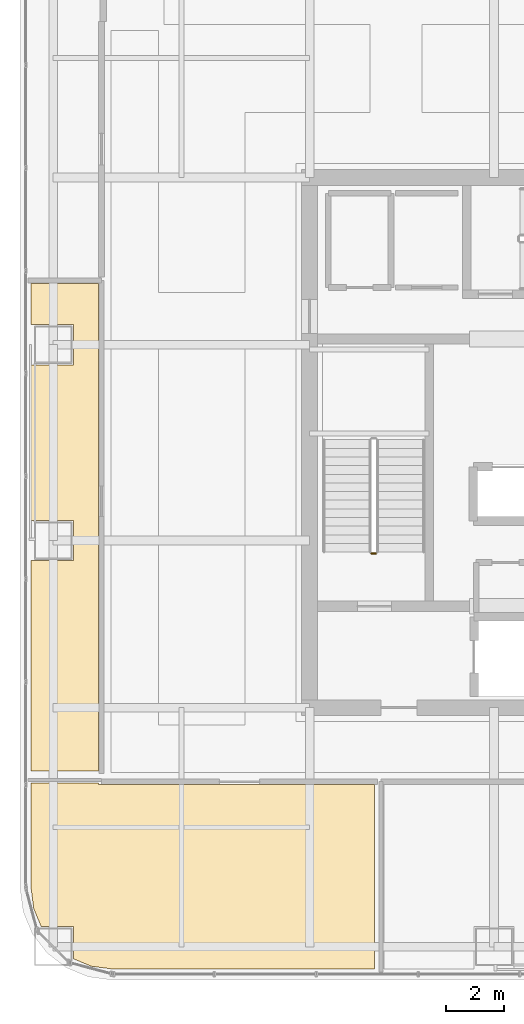
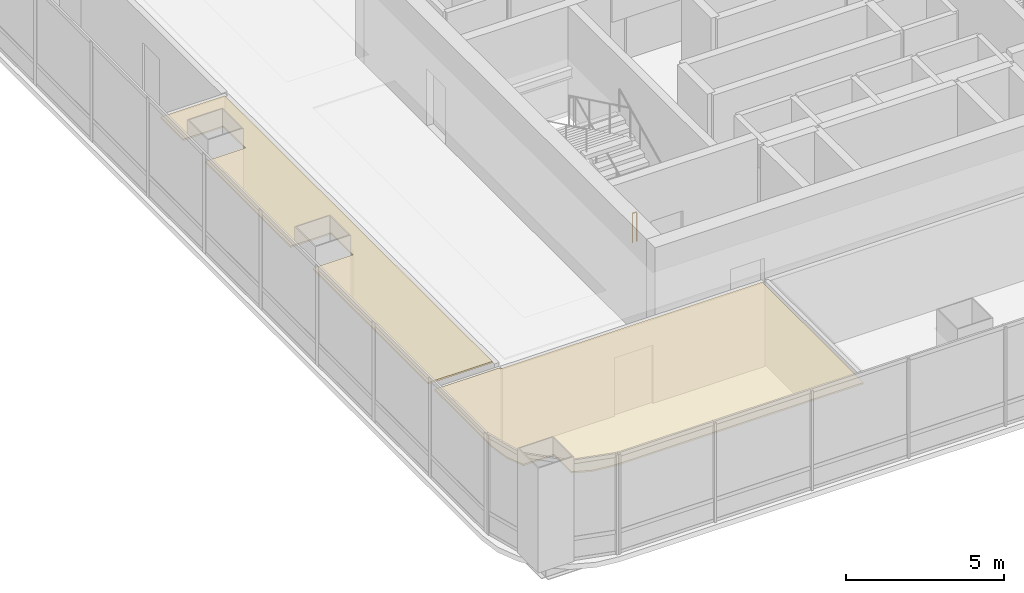
# One storey, part 37 of 42: 2 coverings, 1 railing.
"""IFC4 building model written with IfcOpenShell, lengths in metres."""

from ifc_helpers import new_model, si_unit, direction, frame, origin, origin_2d, place, context, subcontext, project, spatial, polyline, circle, outline, extrude, material, layer, layer_set, type_object, element, save


model = new_model("IFC4")

# Units and contexts
model_context = context("Model", 3, precision=1e-05, world=origin(), true_north=direction((0.0, 1.0)))
body_context = subcontext(model_context, "Body", "Model", "MODEL_VIEW")
ifc_project = project(units=[si_unit("LENGTHUNIT", "METRE"), si_unit("AREAUNIT", "SQUARE_METRE"), si_unit("VOLUMEUNIT", "CUBIC_METRE"), si_unit("PLANEANGLEUNIT", "RADIAN"), si_unit("MASSUNIT", "GRAM", prefix="KILO")], contexts=[model_context])

# Site, building, storey
site_placement = place(None, origin())
site = spatial("IfcSite", under=ifc_project, at=site_placement, CompositionType="ELEMENT")
building_placement = place(site_placement, origin())
building = spatial("IfcBuilding", under=site, at=building_placement, Name="Punatoya Terracotta Tower", CompositionType="ELEMENT")
storey_placement = place(building_placement, frame((0.0, 0.0, 263.550048828125)))
storey = spatial("IfcBuildingStorey", under=building, at=storey_placement, Name="L62", CompositionType="ELEMENT", Elevation=263.550048828125)

# Coverings
ifc_material_1 = material(Name="Acoustic Mineral Fibre Ceiling")
ifc_layer = layer(ifc_material_1, 0.06005859375)
ifc_layer_set = layer_set([ifc_layer], Name="Acoustic Mineral Fibre Ceiling")
covering_type = type_object("IfcCoveringType", Name="COV-CEIL-60", PredefinedType="CEILING", material=ifc_layer_set)
covering_1_placement = place(storey_placement, frame((0.0, 0.0, 3.239990234375)))
element("IfcCovering", 1, at=covering_1_placement, inside=storey, type_object=covering_type, Name="L62 Open-Plan Media Broadcast Studio Acoustic Ceiling", PredefinedType="CEILING", context=body_context, shape_type="SweptSolid", body=[
    extrude(outline(polyline([(-17.52001953125, -11.8701171875), (-17.52001953125, -11.81005859375), (-19.8701171875, -11.81005859375), (-19.8701171875, -15.425048828125), (-19.770751953125, -16.178955078125), (-19.513427734375, -16.800048828125), (-18.39990234375, -16.800048828125), (-18.39990234375, -17.91357421875), (-17.779052734375, -18.1708984375), (-17.025146484375, -18.27001953125), (-7.946044921875, -18.27001953125), (-7.946044921875, -11.8701171875), (-17.52001953125, -11.8701171875)])), origin(), (0.0, 0.0, 1.0), 0.06005859375),
])
covering_2_placement = place(storey_placement, frame((0.0, 0.0, 3.239990234375)))
element("IfcCovering", 2, at=covering_2_placement, inside=storey, type_object=covering_type, Name="L62 Open-Plan Hospitality Tea Pantry Acoustic Ceiling", PredefinedType="CEILING", context=body_context, shape_type="SweptSolid", body=[
    extrude(outline(polyline([(-19.8701171875, -4.10009765625), (-19.8701171875, -11.389892578125), (-17.52001953125, -11.389892578125), (-17.52001953125, 5.52587890625), (-19.8701171875, 5.52587890625), (-19.8701171875, 4.10009765625), (-18.39990234375, 4.10009765625), (-18.39990234375, 2.699951171875), (-19.8701171875, 2.699951171875), (-19.8701171875, -2.699951171875), (-18.39990234375, -2.699951171875), (-18.39990234375, -4.10009765625), (-19.8701171875, -4.10009765625)])), origin(), (0.0, 0.0, 1.0), 0.06005859375),
])

# Railing
ifc_material_2 = material(Name="Steel S355", Category="steel")
railing_type = type_object("IfcRailingType", Name="RLG-GRD-1150", PredefinedType="GUARDRAIL", material=ifc_material_2)
railing_placement = place(storey_placement, frame((-7.89990234375, -3.85009765625, 0.0)))
element("IfcRailing", 3, at=railing_placement, inside=storey, type_object=railing_type, Name="L62 ST-1 stair guard 4", PredefinedType="GUARDRAIL", context=body_context, shape_type="SweptSolid", body=[
    extrude(circle(Radius=0.02392578125, at=origin_2d()), frame((0.0, 0.0, 1.1259765625), z_axis=(-1.0, 0.0, 0.0), x_axis=(0.0, -1.0, 0.0)), (0.0, 0.0, 1.0), 0.150146484375),
    extrude(circle(Radius=0.02099609375, at=origin_2d()), origin(), (0.0, 0.0, 1.0), 1.101806640625),
    extrude(circle(Radius=0.02099609375, at=origin_2d()), frame((-0.150146484375, 0.0, 0.0)), (0.0, 0.0, 1.0), 1.101806640625),
])

save(model, "model.ifc")
